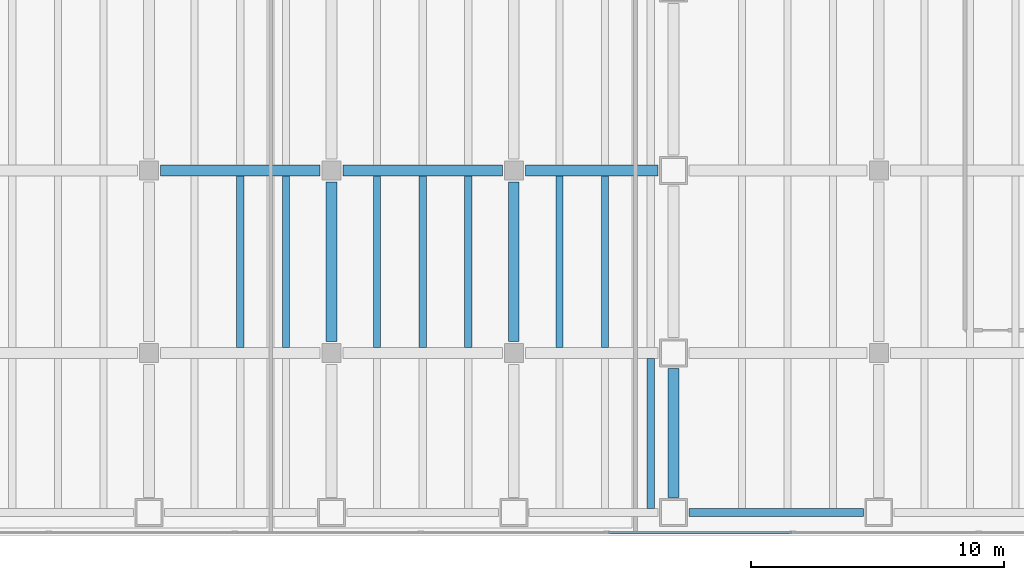
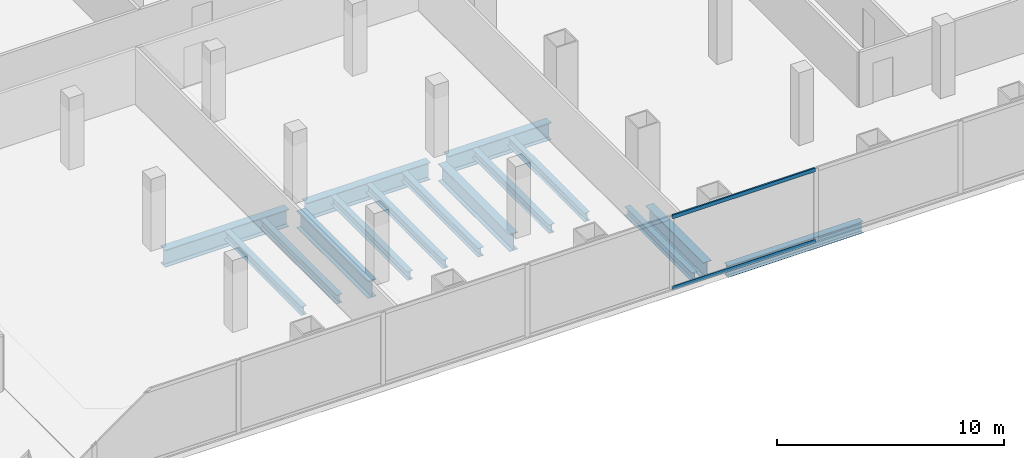
# One storey, part 6 of 28: 15 beams, 2 members, 1 element without a shape of its own.
"""IFC4 building model written with IfcOpenShell, lengths in metres."""

from ifc_helpers import new_model, si_unit, direction, frame, origin, origin_2d, place, context, subcontext, project, spatial, hollow_rectangle, i_section, extrude, material, material_profile, profile_set, type_object, element, aggregate, save


model = new_model("IFC4")

# Units and contexts
model_context = context("Model", 3, precision=1e-05, world=origin(), true_north=direction((0.0, 1.0)))
body_context = subcontext(model_context, "Body", "Model", "MODEL_VIEW")
ifc_project = project(units=[si_unit("LENGTHUNIT", "METRE"), si_unit("AREAUNIT", "SQUARE_METRE"), si_unit("VOLUMEUNIT", "CUBIC_METRE"), si_unit("PLANEANGLEUNIT", "RADIAN"), si_unit("MASSUNIT", "GRAM", prefix="KILO")], contexts=[model_context])

# Site, building, storey
site_placement = place(None, origin())
site = spatial("IfcSite", under=ifc_project, at=site_placement, CompositionType="ELEMENT")
building_placement = place(site_placement, origin())
building = spatial("IfcBuilding", under=site, at=building_placement, Name="Cobrela Telecom Tower", CompositionType="ELEMENT")
storey_placement = place(building_placement, frame((0.0, 0.0, 17.85009765625)))
storey = spatial("IfcBuildingStorey", under=building, at=storey_placement, Name="L04", CompositionType="ELEMENT", Elevation=17.85009765625)

# Beams
ifc_material_1 = material(Name="Steel ASTM A992 Grade 50", Category="steel")
ifc_material_profile_1 = material_profile(ifc_material_1, i_section(OverallWidth=0.4189453125, OverallDepth=0.927001953125, WebThickness=0.019287109375, FlangeThickness=0.031982421875, FilletRadius=0.02392578125, at=origin_2d()), Name="W36X231")
ifc_profile_set_1 = profile_set([ifc_material_profile_1], Name="Steel ASTM A992 Grade 50")
beam_type_1 = type_object("IfcBeamType", Name="BM-GIRD-02", PredefinedType="USERDEFINED", material=ifc_profile_set_1)
for number, where, z_axis, x_axis, name in (
    (1, (29.2548828125, 14.39990234375, -0.753662109375), (1.0, 0.0, 0.0), (0.0, 1.0, 0.0), "L04 Primary Girder X21"),
    (2, (36.455078125, 14.39990234375, -0.753662109375), (1.0, 0.0, 0.0), (0.0, 1.0, 0.0), "L04 Primary Girder X22"),
):
    element("IfcBeam", number, at=place(storey_placement, frame(where, z_axis=z_axis, x_axis=x_axis)), inside=storey, type_object=beam_type_1, Name=name, ObjectType="GIRDER", PredefinedType="USERDEFINED", context=body_context, shape_type="SweptSolid", body=[
        extrude(i_section(OverallWidth=0.4189453125, OverallDepth=0.927001953125, WebThickness=0.019287109375, FlangeThickness=0.031982421875, FilletRadius=0.02392578125, at=origin_2d()), origin(), (0.0, 0.0, 1.0), 6.2900390625),
    ])
beam_1_placement = place(storey_placement, frame((43.655029296875, 14.39990234375, -0.753662109375), z_axis=(1.0, 0.0, 0.0), x_axis=(0.0, 1.0, 0.0)))
element("IfcBeam", 3, at=beam_1_placement, inside=storey, type_object=beam_type_1, Name="L04 Primary Girder X23", ObjectType="GIRDER", PredefinedType="USERDEFINED", context=body_context, shape_type="SweptSolid", body=[
    extrude(i_section(OverallWidth=0.4189453125, OverallDepth=0.927001953125, WebThickness=0.019287109375, FlangeThickness=0.031982421875, FilletRadius=0.02392578125, at=origin_2d()), origin(), (0.0, 0.0, 1.0), 5.239990234375),
])
for number, where, z_axis, x_axis, name in (
    (4, (36.0, 7.655029296875, -0.753662109375), (0.0, 1.0, 0.0), (-1.0, 0.0, 0.0), "L04 Primary Girder Y72"),
    (5, (43.199951171875, 7.655029296875, -0.753662109375), (0.0, 1.0, 0.0), (-1.0, 0.0, 0.0), "L04 Primary Girder Y79"),
):
    element("IfcBeam", number, at=place(storey_placement, frame(where, z_axis=z_axis, x_axis=x_axis)), inside=storey, type_object=beam_type_1, Name=name, ObjectType="GIRDER", PredefinedType="USERDEFINED", context=body_context, shape_type="SweptSolid", body=[
        extrude(i_section(OverallWidth=0.4189453125, OverallDepth=0.927001953125, WebThickness=0.019287109375, FlangeThickness=0.031982421875, FilletRadius=0.02392578125, at=origin_2d()), origin(), (0.0, 0.0, 1.0), 6.2900390625),
    ])
beam_2_placement = place(storey_placement, frame((49.5, 1.5048828125, -0.753662109375), z_axis=(0.0, 1.0, 0.0), x_axis=(-1.0, 0.0, 0.0)))
element("IfcBeam", 6, at=beam_2_placement, inside=storey, type_object=beam_type_1, Name="L04 Primary Girder Y85", ObjectType="GIRDER", PredefinedType="USERDEFINED", context=body_context, shape_type="SweptSolid", body=[
    extrude(i_section(OverallWidth=0.4189453125, OverallDepth=0.927001953125, WebThickness=0.019287109375, FlangeThickness=0.031982421875, FilletRadius=0.02392578125, at=origin_2d()), origin(), (0.0, 0.0, 1.0), 5.090087890625),
])
ifc_material_profile_2 = material_profile(ifc_material_1, i_section(OverallWidth=0.281982421875, OverallDepth=0.467041015625, WebThickness=0.01220703125, FlangeThickness=0.01953125, FilletRadius=0.012939453125, at=origin_2d()), Name="W18X86")
ifc_profile_set_2 = profile_set([ifc_material_profile_2], Name="Steel ASTM A992 Grade 50")
beam_type_2 = type_object("IfcBeamType", Name="BM-JOIST-02", PredefinedType="JOIST", material=ifc_profile_set_2)
for number, where, z_axis, x_axis, name in (
    (7, (32.39990234375, 7.41455078125, -0.523681640625), (0.0, 1.0, 0.0), (-1.0, 0.0, 0.0), "L04 Secondary Composite Floor Beam J59"),
    (8, (34.199951171875, 7.41455078125, -0.523681640625), (0.0, 1.0, 0.0), (-1.0, 0.0, 0.0), "L04 Secondary Composite Floor Beam J64"),
    (9, (37.800048828125, 7.41455078125, -0.523681640625), (0.0, 1.0, 0.0), (-1.0, 0.0, 0.0), "L04 Secondary Composite Floor Beam J71"),
    (10, (39.60009765625, 7.41455078125, -0.523681640625), (0.0, 1.0, 0.0), (-1.0, 0.0, 0.0), "L04 Secondary Composite Floor Beam J78"),
    (11, (41.39990234375, 7.41455078125, -0.523681640625), (0.0, 1.0, 0.0), (-1.0, 0.0, 0.0), "L04 Secondary Composite Floor Beam J85"),
    (12, (45.0, 7.41455078125, -0.523681640625), (0.0, 1.0, 0.0), (-1.0, 0.0, 0.0), "L04 Secondary Composite Floor Beam J92"),
    (13, (46.800048828125, 7.41455078125, -0.523681640625), (0.0, 1.0, 0.0), (-1.0, 0.0, 0.0), "L04 Secondary Composite Floor Beam J95"),
):
    element("IfcBeam", number, at=place(storey_placement, frame(where, z_axis=z_axis, x_axis=x_axis)), inside=storey, type_object=beam_type_2, Name=name, PredefinedType="JOIST", context=body_context, shape_type="SweptSolid", body=[
        extrude(i_section(OverallWidth=0.281982421875, OverallDepth=0.467041015625, WebThickness=0.01220703125, FlangeThickness=0.01953125, FilletRadius=0.012939453125, at=origin_2d()), origin(), (0.0, 0.0, 1.0), 6.77099609375),
    ])
beam_3_placement = place(storey_placement, frame((48.60009765625, 1.0673828125, -0.523681640625), z_axis=(0.0, 1.0, 0.0), x_axis=(-1.0, 0.0, 0.0)))
element("IfcBeam", 14, at=beam_3_placement, inside=storey, type_object=beam_type_2, Name="L04 Secondary Composite Floor Beam J97", PredefinedType="JOIST", context=body_context, shape_type="SweptSolid", body=[
    extrude(i_section(OverallWidth=0.281982421875, OverallDepth=0.467041015625, WebThickness=0.01220703125, FlangeThickness=0.01953125, FilletRadius=0.012939453125, at=origin_2d()), origin(), (0.0, 0.0, 1.0), 5.918212890625),
])
ifc_material_profile_3 = material_profile(ifc_material_1, i_section(OverallWidth=0.324951171875, OverallDepth=0.612060546875, WebThickness=0.0126953125, FlangeThickness=0.01904296875, FilletRadius=0.014892578125, at=origin_2d()), Name="W24X104")
ifc_profile_set_3 = profile_set([ifc_material_profile_3], Name="Steel ASTM A992 Grade 50")
beam_type_3 = type_object("IfcBeamType", Name="BM-SPAND-02", PredefinedType="SPANDREL", material=ifc_profile_set_3)
beam_4_placement = place(storey_placement, frame((50.10498046875, 0.89990234375, -0.59619140625), z_axis=(1.0, 0.0, 0.0), x_axis=(0.0, 1.0, 0.0)))
element("IfcBeam", 15, at=beam_4_placement, inside=storey, type_object=beam_type_3, Name="L04 Perimeter Spandrel X06", PredefinedType="SPANDREL", context=body_context, shape_type="SweptSolid", body=[
    extrude(i_section(OverallWidth=0.324951171875, OverallDepth=0.612060546875, WebThickness=0.0126953125, FlangeThickness=0.01904296875, FilletRadius=0.014892578125, at=origin_2d()), origin(), (0.0, 0.0, 1.0), 6.89013671875),
])

# Curtain wall, members
ifc_material_2 = material(Name="Anodized Bronze Aluminium 6063-T6", Category="aluminium")
curtain_wall_type = type_object("IfcCurtainWallType", Name="CW-SYS-CONC", PredefinedType="USERDEFINED", material=ifc_material_2)
curtain_wall_placement = place(storey_placement, origin())
curtain_wall = element("IfcCurtainWall", 16, at=curtain_wall_placement, inside=storey, type_object=curtain_wall_type, Name="L04 Unitised Bronze Curtain Wall 17", ObjectType="UNITISED CURTAIN WALL", PredefinedType="USERDEFINED")
ifc_material_profile_4 = material_profile(ifc_material_2, hollow_rectangle(XDim=0.080078125, YDim=0.199951171875, WallThickness=0.00390625, at=origin_2d()), Name="ALU 80x200x4")
ifc_profile_set_4 = profile_set([ifc_material_profile_4], Name="Anodized Bronze Aluminium 6063-T6")
member_type = type_object("IfcMemberType", Name="CW-SYS-CONC-TRN", PredefinedType="USERDEFINED", material=ifc_profile_set_4)
member_1_placement = place(storey_placement, frame((54.172607421875, 0.1201171875, 0.039794921875), z_axis=(-1.0, 0.0, 0.0), x_axis=(0.0, -1.0, 0.0)))
member_1 = element("IfcMember", 17, at=member_1_placement, type_object=member_type, Name="CW-CONC transom 5.1", ObjectType="TRANSOM", PredefinedType="USERDEFINED", context=body_context, shape_type="SweptSolid", body=[
    extrude(hollow_rectangle(XDim=0.080078125, YDim=0.199951171875, WallThickness=0.00390625, at=origin_2d()), origin(), (0.0, 0.0, 1.0), 7.26171875),
])
member_2_placement = place(storey_placement, frame((54.172607421875, 0.1201171875, 3.869873046875), z_axis=(-1.0, 0.0, 0.0), x_axis=(0.0, -1.0, 0.0)))
member_2 = element("IfcMember", 18, at=member_2_placement, type_object=member_type, Name="CW-CONC transom 5.2", ObjectType="TRANSOM", PredefinedType="USERDEFINED", context=body_context, shape_type="SweptSolid", body=[
    extrude(hollow_rectangle(XDim=0.080078125, YDim=0.199951171875, WallThickness=0.00390625, at=origin_2d()), origin(), (0.0, 0.0, 1.0), 7.26171875),
])
aggregate(curtain_wall, [member_1, member_2])

save(model, "model.ifc")
